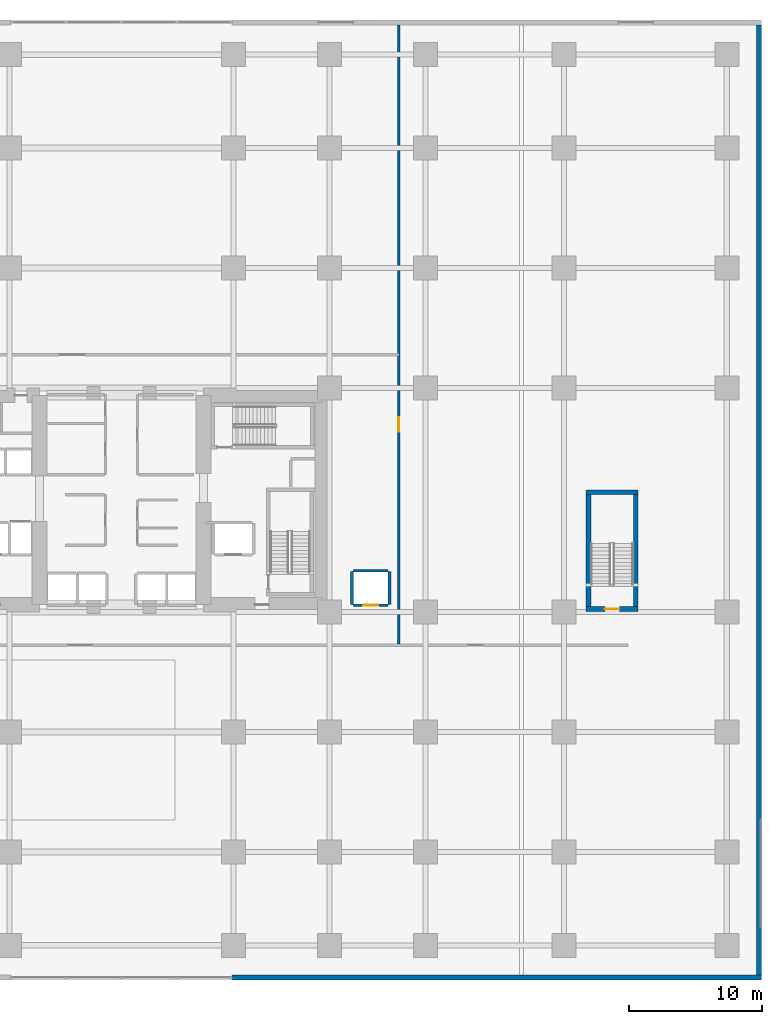
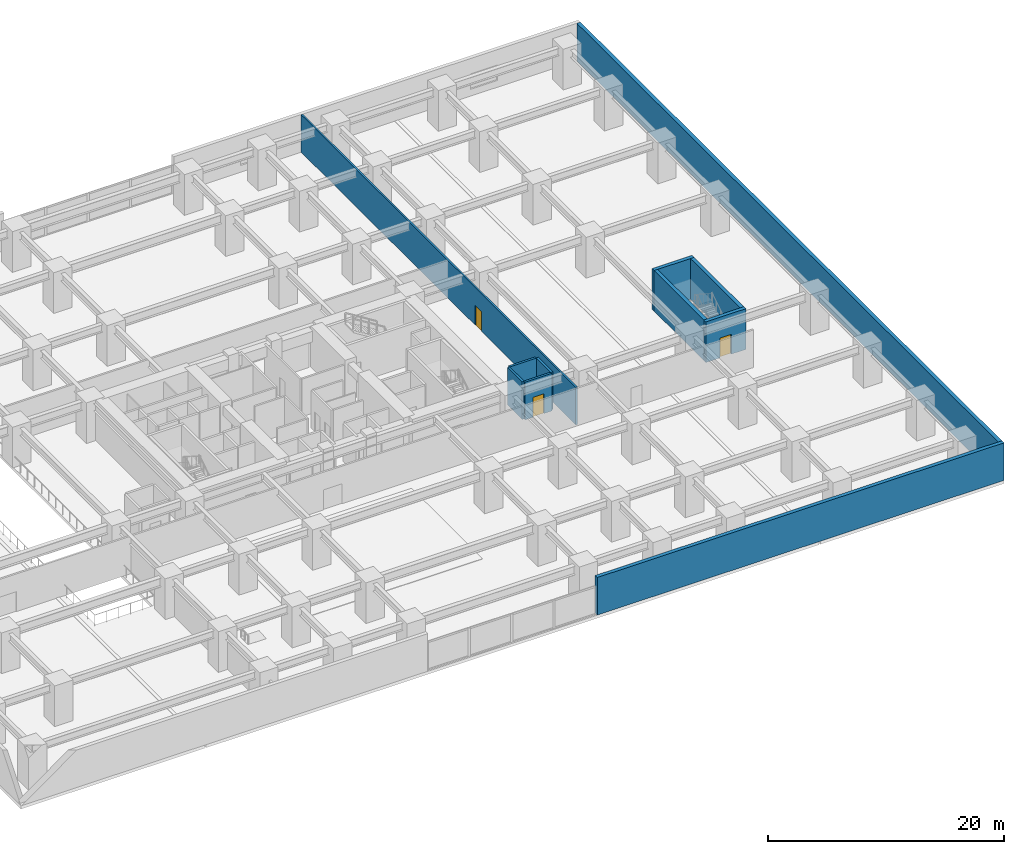
# One storey, part 13 of 22: 11 walls, 3 doors, 3 openings.
"""IFC4 building model written with IfcOpenShell, lengths in metres."""

from ifc_helpers import new_model, si_unit, direction, frame, frame_2d, origin, place, context, subcontext, project, spatial, rectangle, extrude, material, layer, layer_set, type_object, element, fill, save


model = new_model("IFC4")

# Units and contexts
model_context = context("Model", 3, precision=1e-05, world=origin(), true_north=direction((0.0, 1.0)))
body_context = subcontext(model_context, "Body", "Model", "MODEL_VIEW")
ifc_project = project(units=[si_unit("LENGTHUNIT", "METRE"), si_unit("AREAUNIT", "SQUARE_METRE"), si_unit("VOLUMEUNIT", "CUBIC_METRE"), si_unit("PLANEANGLEUNIT", "RADIAN"), si_unit("MASSUNIT", "GRAM", prefix="KILO")], contexts=[model_context])

# Site, building, storey
site_placement = place(None, origin())
site = spatial("IfcSite", under=ifc_project, at=site_placement, CompositionType="ELEMENT")
building_placement = place(site_placement, origin())
building = spatial("IfcBuilding", under=site, at=building_placement, Name="Kiyonajd Concourse Tower", CompositionType="ELEMENT")
storey_placement = place(building_placement, frame((0.0, 0.0, 8.699951171875)))
storey = spatial("IfcBuildingStorey", under=building, at=storey_placement, Name="L03", CompositionType="ELEMENT", Elevation=8.699951171875)

# Walls
ifc_material_1 = material(Name="Precast concrete C50/60", Category="concrete")
ifc_layer_1 = layer(ifc_material_1, 0.360107421875)
ifc_layer_set_1 = layer_set([ifc_layer_1], Name="Precast concrete C50/60")
wall_type_1 = type_object("IfcWallType", Name="WL-EXT-360", PredefinedType="SOLIDWALL", material=ifc_layer_set_1)
wall_1_placement = place(storey_placement, frame((95.820068359375, 71.639892578125, 0.0), z_axis=(0.0, 0.0, 1.0), x_axis=(0.0, -1.0, 0.0)))
element("IfcWall", 1, at=wall_1_placement, inside=storey, type_object=wall_type_1, Name="L03 East Podium Limestone Facade Wall", PredefinedType="SOLIDWALL", context=body_context, shape_type="SweptSolid", body=[
    extrude(rectangle(XDim=71.27978515625, YDim=0.360107421875, at=frame_2d((35.639892578125, 0.0))), origin(), (0.0, 0.0, 1.0), 3.880126953125),
])
wall_2_placement = place(storey_placement, frame((96.0, 0.179931640625, 0.0), z_axis=(0.0, 0.0, 1.0), x_axis=(-1.0, 0.0, 0.0)))
element("IfcWall", 2, at=wall_2_placement, inside=storey, type_object=wall_type_1, Name="L03 South East Podium Facade Wall", PredefinedType="SOLIDWALL", context=body_context, shape_type="SweptSolid", body=[
    extrude(rectangle(XDim=39.719970703125, YDim=0.360107421875, at=frame_2d((19.85986328125, 0.0))), origin(), (0.0, 0.0, 1.0), 3.880126953125),
])

# Wall, opening, door
ifc_material_2 = material(Name="Gypsum Board on Cold-Formed Steel Stud", Category="steel")
ifc_layer_2 = layer(ifc_material_2, 0.2099609375)
ifc_layer_set_2 = layer_set([ifc_layer_2], Name="Gypsum Board on Cold-Formed Steel Stud")
wall_type_2 = type_object("IfcWallType", Name="WL-SHAFT-210", PredefinedType="PARTITIONING", material=ifc_layer_set_2)
wall_3_placement = place(storey_placement, frame((65.39990234375, 28.10009765625, 0.0), z_axis=(0.0, 0.0, 1.0), x_axis=(1.0, 0.0, 0.0)))
wall_3 = element("IfcWall", 3, at=wall_3_placement, inside=storey, type_object=wall_type_2, Name="L03 Shaft Enclosure Wall", PredefinedType="PARTITIONING", context=body_context, shape_type="SweptSolid", body=[
    extrude(rectangle(XDim=2.60009765625, YDim=0.2099609375, at=frame_2d((1.300048828125, 0.0))), origin(), (0.0, 0.0, 1.0), 3.880126953125),
])
opening_1_placement = place(wall_3_placement, frame((0.75, 0.0, 0.0)))
opening_1 = element("IfcOpeningElement", 4, at=opening_1_placement, cuts=wall_3, Name="Opening LD1", PredefinedType="OPENING", context=body_context, shape_type="SweptSolid", body=[
    extrude(rectangle(XDim=1.10009765625, YDim=2.0400390625, at=frame_2d((0.550048828125, 1.02001953125))), frame((0.0, 0.114990234375, 0.0), z_axis=(0.0, -1.0, 0.0), x_axis=(1.0, 0.0, 0.0)), (0.0, 0.0, 1.0), 0.22998046875),
])
ifc_material_3 = material(Name="Brushed Stainless Steel Cab Assembly", Category="steel")
door_type_1 = type_object("IfcDoorType", Name="DR-LD-1100", OperationType="DOUBLE_DOOR_SLIDING", PredefinedType="DOOR", material=ifc_material_3)
door_1_placement = place(opening_1_placement, origin())
door_1 = element("IfcDoor", 5, at=door_1_placement, inside=storey, type_object=door_type_1, Name="L03 Lift PD2 Sliding Landing Door", OperationType="DOUBLE_DOOR_SLIDING", OverallHeight=2.0400390625, OverallWidth=1.10009765625, PredefinedType="DOOR", context=body_context, shape_type="SweptSolid", body=[
    extrude(rectangle(XDim=1.10009765625, YDim=2.0400390625, at=frame_2d((0.550048828125, 1.02001953125))), frame((0.0, 0.02490234375, 0.0), z_axis=(0.0, -1.0, 0.0), x_axis=(1.0, 0.0, 0.0)), (0.0, 0.0, 1.0), 0.050048828125),
])
fill(opening_1, door_1)

# Walls
wall_4_placement = place(storey_placement, frame((65.39990234375, 30.699951171875, 0.0), z_axis=(0.0, 0.0, 1.0), x_axis=(1.0, 0.0, 0.0)))
element("IfcWall", 6, at=wall_4_placement, inside=storey, type_object=wall_type_2, Name="L03 Shaft Enclosure Wall", PredefinedType="PARTITIONING", context=body_context, shape_type="SweptSolid", body=[
    extrude(rectangle(XDim=2.60009765625, YDim=0.2099609375, at=frame_2d((1.300048828125, 0.0))), origin(), (0.0, 0.0, 1.0), 3.880126953125),
])
for number, where, z_axis, x_axis, name in (
    (7, (65.300048828125, 28.159912109375, 0.0), (0.0, 0.0, 1.0), (0.0, 1.0, 0.0), "L03 Shaft Enclosure Wall"),
    (8, (68.10009765625, 28.159912109375, 0.0), (0.0, 0.0, 1.0), (0.0, 1.0, 0.0), "L03 Shaft Enclosure Wall"),
):
    element("IfcWall", number, at=place(storey_placement, frame(where, z_axis=z_axis, x_axis=x_axis)), inside=storey, type_object=wall_type_2, Name=name, PredefinedType="PARTITIONING", context=body_context, shape_type="SweptSolid", body=[
        extrude(rectangle(XDim=2.47998046875, YDim=0.2099609375, at=frame_2d((1.239990234375, 0.0))), origin(), (0.0, 0.0, 1.0), 3.880126953125),
    ])

# Wall, opening, door
ifc_layer_3 = layer(ifc_material_2, 0.169921875)
ifc_layer_set_3 = layer_set([ifc_layer_3], Name="Gypsum Board on Cold-Formed Steel Stud")
wall_type_3 = type_object("IfcWallType", Name="WL-SMK-170", PredefinedType="PARTITIONING", material=ifc_layer_set_3)
wall_5_placement = place(storey_placement, frame((68.800048828125, 25.18701171875, 0.0), z_axis=(0.0, 0.0, 1.0), x_axis=(0.0, 1.0, 0.0)))
wall_5 = element("IfcWall", 9, at=wall_5_placement, inside=storey, type_object=wall_type_3, Name="L03 Interior Partition Wall", PredefinedType="PARTITIONING", context=body_context, shape_type="SweptSolid", body=[
    extrude(rectangle(XDim=46.447998046875, YDim=0.169921875, at=frame_2d((23.22412109375, 0.0))), origin(), (0.0, 0.0, 1.0), 3.880126953125),
])
opening_2_placement = place(wall_5_placement, frame((15.9130859375, 0.0, 0.0)))
opening_2 = element("IfcOpeningElement", 10, at=opening_2_placement, cuts=wall_5, Name="Opening DF2", PredefinedType="OPENING", context=body_context, shape_type="SweptSolid", body=[
    extrude(rectangle(XDim=1.10009765625, YDim=2.050048828125, at=frame_2d((0.550048828125, 1.02490234375))), frame((0.0, 0.094970703125, 0.0), z_axis=(0.0, -1.0, 0.0), x_axis=(1.0, 0.0, 0.0)), (0.0, 0.0, 1.0), 0.18994140625),
])
door_type_2 = type_object("IfcDoorType", Name="DR-FD90-1100", OperationType="NOTDEFINED", PredefinedType="DOOR", material=ifc_material_3)
door_2_placement = place(opening_2_placement, origin())
door_2 = element("IfcDoor", 11, at=door_2_placement, inside=storey, type_object=door_type_2, Name="L03 Interior Door", OperationType="SINGLE_SWING_RIGHT", OverallHeight=2.050048828125, OverallWidth=1.10009765625, PredefinedType="DOOR", context=body_context, shape_type="SweptSolid", body=[
    extrude(rectangle(XDim=1.10009765625, YDim=2.050048828125, at=frame_2d((0.550048828125, 1.02490234375))), frame((0.0, 0.02490234375, 0.0), z_axis=(0.0, -1.0, 0.0), x_axis=(1.0, 0.0, 0.0)), (0.0, 0.0, 1.0), 0.050048828125),
])
fill(opening_2, door_2)

ifc_material_4 = material(Name="Concrete C50/60", Category="concrete")
ifc_layer_4 = layer(ifc_material_4, 0.35009765625)
ifc_layer_set_4 = layer_set([ifc_layer_4], Name="Concrete C50/60")
wall_type_4 = type_object("IfcWallType", Name="WL-STAIR-350", PredefinedType="SHEAR", material=ifc_layer_set_4)
wall_6_placement = place(storey_placement, frame((82.85009765625, 27.824951171875, 0.0), z_axis=(0.0, 0.0, 1.0), x_axis=(1.0, 0.0, 0.0)))
wall_6 = element("IfcWall", 12, at=wall_6_placement, inside=storey, type_object=wall_type_4, Name="L03 Stair ST5 Structural South Wall", PredefinedType="SHEAR", context=body_context, shape_type="SweptSolid", body=[
    extrude(rectangle(XDim=3.89990234375, YDim=0.35009765625, at=frame_2d((1.949951171875, 0.0))), origin(), (0.0, 0.0, 1.0), 4.199951171875),
])
opening_3_placement = place(wall_6_placement, frame((1.39990234375, 0.0, 0.0)))
opening_3 = element("IfcOpeningElement", 13, at=opening_3_placement, cuts=wall_6, Name="Opening DF2", PredefinedType="OPENING", context=body_context, shape_type="SweptSolid", body=[
    extrude(rectangle(XDim=1.10009765625, YDim=2.050048828125, at=frame_2d((0.550048828125, 1.02490234375))), frame((0.0, 0.18505859375, 0.0), z_axis=(0.0, -1.0, 0.0), x_axis=(1.0, 0.0, 0.0)), (0.0, 0.0, 1.0), 0.3701171875),
])
door_3_placement = place(opening_3_placement, origin())
door_3 = element("IfcDoor", 14, at=door_3_placement, inside=storey, type_object=door_type_2, Name="L03 Stair ST5 Fire Door", OperationType="SINGLE_SWING_RIGHT", OverallHeight=2.050048828125, OverallWidth=1.10009765625, PredefinedType="DOOR", context=body_context, shape_type="SweptSolid", body=[
    extrude(rectangle(XDim=1.10009765625, YDim=2.050048828125, at=frame_2d((0.550048828125, 1.02490234375))), frame((0.0, 0.02490234375, 0.0), z_axis=(0.0, -1.0, 0.0), x_axis=(1.0, 0.0, 0.0)), (0.0, 0.0, 1.0), 0.050048828125),
])
fill(opening_3, door_3)

# Walls
wall_7_placement = place(storey_placement, frame((82.85009765625, 36.574951171875, 0.0), z_axis=(0.0, 0.0, 1.0), x_axis=(1.0, 0.0, 0.0)))
element("IfcWall", 15, at=wall_7_placement, inside=storey, type_object=wall_type_4, Name="L03 Stair ST5 Structural North Wall", PredefinedType="SHEAR", context=body_context, shape_type="SweptSolid", body=[
    extrude(rectangle(XDim=3.89990234375, YDim=0.35009765625, at=frame_2d((1.949951171875, 0.0))), origin(), (0.0, 0.0, 1.0), 4.199951171875),
])
for number, where, z_axis, x_axis, name in (
    (16, (83.02490234375, 28.0, 0.0), (0.0, 0.0, 1.0), (0.0, 1.0, 0.0), "L03 Stair ST5 Structural West Wall"),
    (17, (86.574951171875, 28.0, 0.0), (0.0, 0.0, 1.0), (0.0, 1.0, 0.0), "L03 Stair ST5 Structural East Wall"),
):
    element("IfcWall", number, at=place(storey_placement, frame(where, z_axis=z_axis, x_axis=x_axis)), inside=storey, type_object=wall_type_4, Name=name, PredefinedType="SHEAR", context=body_context, shape_type="SweptSolid", body=[
        extrude(rectangle(XDim=8.39990234375, YDim=0.35009765625, at=frame_2d((4.199951171875, 0.0))), origin(), (0.0, 0.0, 1.0), 4.199951171875),
    ])

save(model, "model.ifc")
